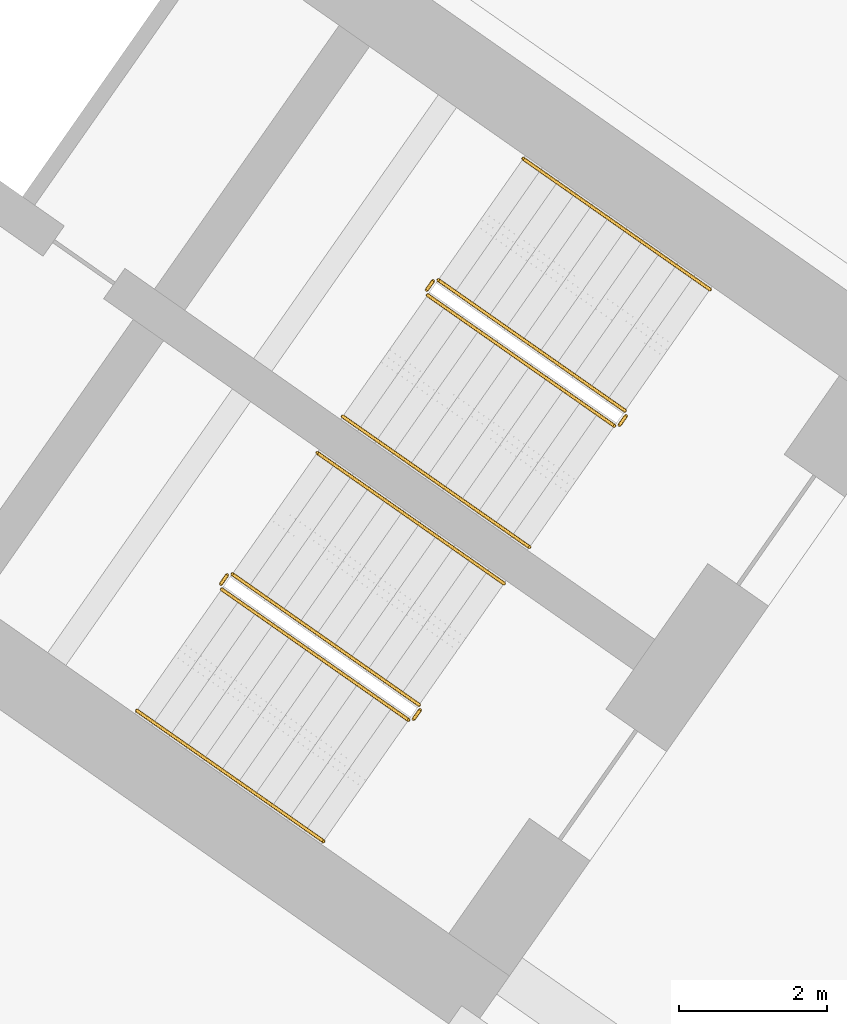
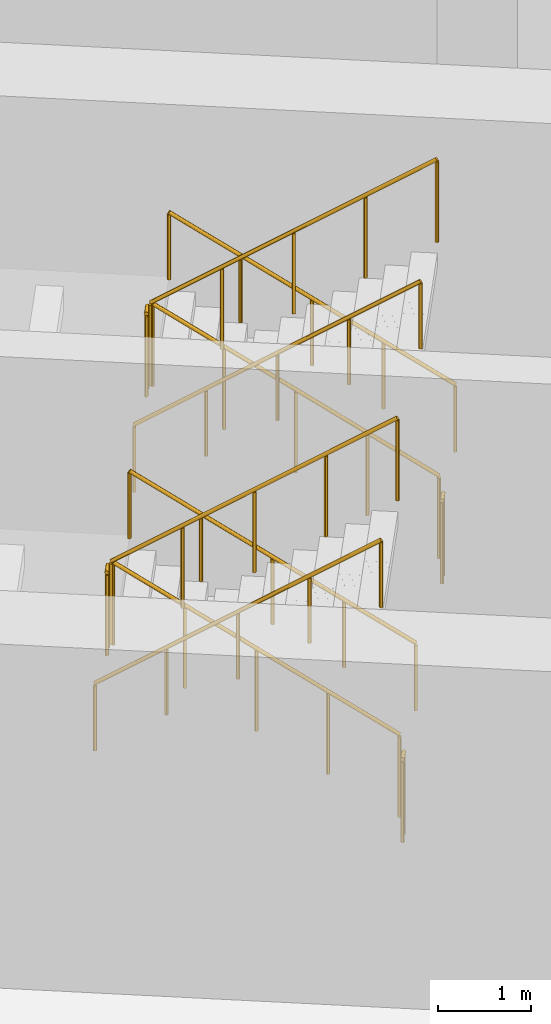
# One storey, part 11 of 11: 12 railings.
"""IFC4 building model written with IfcOpenShell, lengths in metres."""

from ifc_helpers import new_model, si_unit, direction, frame, origin, origin_2d, place, context, subcontext, project, spatial, circle, extrude, material, type_object, element, save


model = new_model("IFC4")

# Units and contexts
model_context = context("Model", 3, precision=1e-05, world=origin(), true_north=direction((0.0, 1.0)))
body_context = subcontext(model_context, "Body", "Model", "MODEL_VIEW")
ifc_project = project(units=[si_unit("LENGTHUNIT", "METRE"), si_unit("AREAUNIT", "SQUARE_METRE"), si_unit("VOLUMEUNIT", "CUBIC_METRE"), si_unit("PLANEANGLEUNIT", "RADIAN"), si_unit("MASSUNIT", "GRAM", prefix="KILO")], contexts=[model_context])

# Site, building, storey
site_placement = place(None, origin())
site = spatial("IfcSite", under=ifc_project, at=site_placement, CompositionType="ELEMENT")
building_placement = place(site_placement, origin())
building = spatial("IfcBuilding", under=site, at=building_placement, Name="Tel Ilan Convention Tower", CompositionType="ELEMENT")
storey_placement = place(building_placement, frame((0.0, 0.0, -4.5)))
storey = spatial("IfcBuildingStorey", under=building, at=storey_placement, Name="B1", CompositionType="ELEMENT", Elevation=-4.5)

# Railings
ifc_material_1 = material(Name="Stainless Steel Grade 316", Category="steel")
railing_type_1 = type_object("IfcRailingType", Name="Stainless Steel Stair Guard 1100 mm", PredefinedType="GUARDRAIL", material=ifc_material_1)
railing_1_placement = place(storey_placement, frame((23.6787109375, -7.8515625, 0.1875)))
element("IfcRailing", 1, at=railing_1_placement, inside=storey, type_object=railing_type_1, Name="B1 S3 stair guard 1", PredefinedType="GUARDRAIL", context=body_context, shape_type="SweptSolid", body=[
    extrude(circle(Radius=0.02392578125, at=origin_2d()), frame((0.0, 0.0, 1.076171875), z_axis=(-0.680634867305, 0.476589307124, 0.556416040158), x_axis=(-0.573579377721, -0.819149984711, 0.0)), (0.0, 0.0, 1.0), 3.706787109375),
    extrude(circle(Radius=0.02099609375, at=origin_2d()), origin(), (0.0, 0.0, 1.0), 1.052001953125),
    extrude(circle(Radius=0.02099609375, at=origin_2d()), frame((-0.630859375, 0.441650390625, 0.515625)), (0.0, 0.0, 1.0), 1.052001953125),
    extrude(circle(Radius=0.02099609375, at=origin_2d()), frame((-1.261474609375, 0.88330078125, 1.03125)), (0.0, 0.0, 1.0), 1.052001953125),
    extrude(circle(Radius=0.02099609375, at=origin_2d()), frame((-1.89208984375, 1.324951171875, 1.546875)), (0.0, 0.0, 1.0), 1.052001953125),
    extrude(circle(Radius=0.02099609375, at=origin_2d()), frame((-2.52294921875, 1.7666015625, 2.0625)), (0.0, 0.0, 1.0), 1.052001953125),
])
railing_2_placement = place(storey_placement, frame((21.086181640625, -6.09716796875, 2.25)))
element("IfcRailing", 2, at=railing_2_placement, inside=storey, type_object=railing_type_1, Name="B1 S3 stair guard 2", PredefinedType="GUARDRAIL", context=body_context, shape_type="SweptSolid", body=[
    extrude(circle(Radius=0.02392578125, at=origin_2d()), frame((0.0, 0.0, 1.076171875), z_axis=(-0.573353020881, -0.819308436089, 0.0), x_axis=(0.819308436089, -0.573353020881, 0.0)), (0.0, 0.0, 1.0), 0.14990234375),
    extrude(circle(Radius=0.02099609375, at=origin_2d()), origin(), (0.0, 0.0, 1.0), 1.052001953125),
    extrude(circle(Radius=0.02099609375, at=origin_2d()), frame((-0.0859375, -0.122802734375, 0.0)), (0.0, 0.0, 1.0), 1.052001953125),
])
railing_3_placement = place(storey_placement, frame((21.012451171875, -6.289794921875, 2.4375)))
element("IfcRailing", 3, at=railing_3_placement, inside=storey, type_object=railing_type_1, Name="B1 S3 stair guard 3", PredefinedType="GUARDRAIL", context=body_context, shape_type="SweptSolid", body=[
    extrude(circle(Radius=0.02392578125, at=origin_2d()), frame((0.0, 0.0, 1.076171875), z_axis=(0.680634867305, -0.476589307124, 0.556416040158), x_axis=(0.573579377721, 0.819149984711, 0.0)), (0.0, 0.0, 1.0), 3.706787109375),
    extrude(circle(Radius=0.02099609375, at=origin_2d()), origin(), (0.0, 0.0, 1.0), 1.052001953125),
    extrude(circle(Radius=0.02099609375, at=origin_2d()), frame((0.630859375, -0.441650390625, 0.515625)), (0.0, 0.0, 1.0), 1.052001953125),
    extrude(circle(Radius=0.02099609375, at=origin_2d()), frame((1.261474609375, -0.88330078125, 1.03125)), (0.0, 0.0, 1.0), 1.052001953125),
    extrude(circle(Radius=0.02099609375, at=origin_2d()), frame((1.89208984375, -1.324951171875, 1.546875)), (0.0, 0.0, 1.0), 1.052001953125),
    extrude(circle(Radius=0.02099609375, at=origin_2d()), frame((2.52294921875, -1.7666015625, 2.0625)), (0.0, 0.0, 1.0), 1.052001953125),
])
railing_4_placement = place(storey_placement, frame((23.691162109375, -7.921142578125, 0.0)))
element("IfcRailing", 4, at=railing_4_placement, inside=storey, type_object=railing_type_1, Name="B1 S3 stair guard 4", PredefinedType="GUARDRAIL", context=body_context, shape_type="SweptSolid", body=[
    extrude(circle(Radius=0.02392578125, at=origin_2d()), frame((0.0, 0.0, 1.076171875), z_axis=(-0.574444878118, -0.818543268254, 0.0), x_axis=(0.818543268254, -0.574444878118, 0.0)), (0.0, 0.0, 1.0), 0.150146484375),
    extrude(circle(Radius=0.02099609375, at=origin_2d()), origin(), (0.0, 0.0, 1.0), 1.052001953125),
    extrude(circle(Radius=0.02099609375, at=origin_2d()), frame((-0.086181640625, -0.122802734375, 0.0)), (0.0, 0.0, 1.0), 1.052001953125),
])
railing_5_placement = place(storey_placement, frame((20.89697265625, -11.824462890625, 0.1875)))
element("IfcRailing", 5, at=railing_5_placement, inside=storey, type_object=railing_type_1, Name="B1 S4 stair guard 1", PredefinedType="GUARDRAIL", context=body_context, shape_type="SweptSolid", body=[
    extrude(circle(Radius=0.02392578125, at=origin_2d()), frame((0.0, 0.0, 1.076171875), z_axis=(-0.680634867305, 0.476589307124, 0.556416040158), x_axis=(-0.573579377721, -0.819149984711, 0.0)), (0.0, 0.0, 1.0), 3.706787109375),
    extrude(circle(Radius=0.02099609375, at=origin_2d()), origin(), (0.0, 0.0, 1.0), 1.052001953125),
    extrude(circle(Radius=0.02099609375, at=origin_2d()), frame((-0.630859375, 0.441650390625, 0.515625)), (0.0, 0.0, 1.0), 1.052001953125),
    extrude(circle(Radius=0.02099609375, at=origin_2d()), frame((-1.261474609375, 0.88330078125, 1.03125)), (0.0, 0.0, 1.0), 1.052001953125),
    extrude(circle(Radius=0.02099609375, at=origin_2d()), frame((-1.89208984375, 1.324951171875, 1.546875)), (0.0, 0.0, 1.0), 1.052001953125),
    extrude(circle(Radius=0.02099609375, at=origin_2d()), frame((-2.52294921875, 1.7666015625, 2.0625)), (0.0, 0.0, 1.0), 1.052001953125),
])
railing_6_placement = place(storey_placement, frame((18.304443359375, -10.070068359375, 2.25)))
element("IfcRailing", 6, at=railing_6_placement, inside=storey, type_object=railing_type_1, Name="B1 S4 stair guard 2", PredefinedType="GUARDRAIL", context=body_context, shape_type="SweptSolid", body=[
    extrude(circle(Radius=0.02392578125, at=origin_2d()), frame((0.0, 0.0, 1.076171875), z_axis=(-0.574444878118, -0.818543268254, 0.0), x_axis=(0.818543268254, -0.574444878118, 0.0)), (0.0, 0.0, 1.0), 0.150146484375),
    extrude(circle(Radius=0.02099609375, at=origin_2d()), origin(), (0.0, 0.0, 1.0), 1.052001953125),
    extrude(circle(Radius=0.02099609375, at=origin_2d()), frame((-0.086181640625, -0.122802734375, 0.0)), (0.0, 0.0, 1.0), 1.052001953125),
])
railing_7_placement = place(storey_placement, frame((18.23046875, -10.2626953125, 2.4375)))
element("IfcRailing", 7, at=railing_7_placement, inside=storey, type_object=railing_type_1, Name="B1 S4 stair guard 3", PredefinedType="GUARDRAIL", context=body_context, shape_type="SweptSolid", body=[
    extrude(circle(Radius=0.02392578125, at=origin_2d()), frame((0.0, 0.0, 1.076171875), z_axis=(0.680670216326, -0.476567942461, 0.556391097003), x_axis=(0.573542135923, 0.819176060637, 0.0)), (0.0, 0.0, 1.0), 3.70703125),
    extrude(circle(Radius=0.02099609375, at=origin_2d()), origin(), (0.0, 0.0, 1.0), 1.052001953125),
    extrude(circle(Radius=0.02099609375, at=origin_2d()), frame((0.630859375, -0.441650390625, 0.515625)), (0.0, 0.0, 1.0), 1.052001953125),
    extrude(circle(Radius=0.02099609375, at=origin_2d()), frame((1.26171875, -0.88330078125, 1.03125)), (0.0, 0.0, 1.0), 1.052001953125),
    extrude(circle(Radius=0.02099609375, at=origin_2d()), frame((1.892333984375, -1.324951171875, 1.546875)), (0.0, 0.0, 1.0), 1.052001953125),
    extrude(circle(Radius=0.02099609375, at=origin_2d()), frame((2.523193359375, -1.7666015625, 2.0625)), (0.0, 0.0, 1.0), 1.052001953125),
])
railing_8_placement = place(storey_placement, frame((20.9091796875, -11.89404296875, 0.0)))
element("IfcRailing", 8, at=railing_8_placement, inside=storey, type_object=railing_type_1, Name="B1 S4 stair guard 4", PredefinedType="GUARDRAIL", context=body_context, shape_type="SweptSolid", body=[
    extrude(circle(Radius=0.02392578125, at=origin_2d()), frame((0.0, 0.0, 1.076171875), z_axis=(-0.573353020881, -0.819308436089, 0.0), x_axis=(0.819308436089, -0.573353020881, 0.0)), (0.0, 0.0, 1.0), 0.14990234375),
    extrude(circle(Radius=0.02099609375, at=origin_2d()), origin(), (0.0, 0.0, 1.0), 1.052001953125),
    extrude(circle(Radius=0.02099609375, at=origin_2d()), frame((-0.0859375, -0.122802734375, 0.0)), (0.0, 0.0, 1.0), 1.052001953125),
])
ifc_material_2 = material(Name="Stainless Steel Grade 316", Category="steel")
railing_type_2 = type_object("IfcRailingType", Name="Stainless Steel Stair Handrail 900 mm", PredefinedType="HANDRAIL", material=ifc_material_2)
railing_9_placement = place(storey_placement, frame((24.825927734375, -6.213134765625, 0.1875)))
element("IfcRailing", 9, at=railing_9_placement, inside=storey, type_object=railing_type_2, Name="B1 S3 stair handrail 1", PredefinedType="HANDRAIL", context=body_context, shape_type="SweptSolid", body=[
    extrude(circle(Radius=0.02392578125, at=origin_2d()), frame((0.0, 0.0, 0.8759765625), z_axis=(-0.680634867305, 0.476589307124, 0.556416040158), x_axis=(-0.573579377721, -0.819149984711, 0.0)), (0.0, 0.0, 1.0), 3.706787109375),
    extrude(circle(Radius=0.02099609375, at=origin_2d()), origin(), (0.0, 0.0, 1.0), 0.851806640625),
    extrude(circle(Radius=0.02099609375, at=origin_2d()), frame((-0.630859375, 0.441650390625, 0.515625)), (0.0, 0.0, 1.0), 0.851806640625),
    extrude(circle(Radius=0.02099609375, at=origin_2d()), frame((-1.261474609375, 0.88330078125, 1.03125)), (0.0, 0.0, 1.0), 0.851806640625),
    extrude(circle(Radius=0.02099609375, at=origin_2d()), frame((-1.89208984375, 1.324951171875, 1.546875)), (0.0, 0.0, 1.0), 0.851806640625),
    extrude(circle(Radius=0.02099609375, at=origin_2d()), frame((-2.52294921875, 1.7666015625, 2.0625)), (0.0, 0.0, 1.0), 0.851806640625),
])
railing_10_placement = place(storey_placement, frame((19.865234375, -7.927978515625, 2.4375)))
element("IfcRailing", 10, at=railing_10_placement, inside=storey, type_object=railing_type_2, Name="B1 S3 stair handrail 2", PredefinedType="HANDRAIL", context=body_context, shape_type="SweptSolid", body=[
    extrude(circle(Radius=0.02392578125, at=origin_2d()), frame((0.0, 0.0, 0.8759765625), z_axis=(0.680634867305, -0.476589307124, 0.556416040158), x_axis=(0.573579377721, 0.819149984711, 0.0)), (0.0, 0.0, 1.0), 3.706787109375),
    extrude(circle(Radius=0.02099609375, at=origin_2d()), origin(), (0.0, 0.0, 1.0), 0.851806640625),
    extrude(circle(Radius=0.02099609375, at=origin_2d()), frame((0.630859375, -0.441650390625, 0.515625)), (0.0, 0.0, 1.0), 0.851806640625),
    extrude(circle(Radius=0.02099609375, at=origin_2d()), frame((1.261474609375, -0.88330078125, 1.03125)), (0.0, 0.0, 1.0), 0.851806640625),
    extrude(circle(Radius=0.02099609375, at=origin_2d()), frame((1.89208984375, -1.324951171875, 1.546875)), (0.0, 0.0, 1.0), 0.851806640625),
    extrude(circle(Radius=0.02099609375, at=origin_2d()), frame((2.52294921875, -1.7666015625, 2.0625)), (0.0, 0.0, 1.0), 0.851806640625),
])
railing_11_placement = place(storey_placement, frame((22.044189453125, -10.18603515625, 0.1875)))
element("IfcRailing", 11, at=railing_11_placement, inside=storey, type_object=railing_type_2, Name="B1 S4 stair handrail 1", PredefinedType="HANDRAIL", context=body_context, shape_type="SweptSolid", body=[
    extrude(circle(Radius=0.02392578125, at=origin_2d()), frame((0.0, 0.0, 0.8759765625), z_axis=(-0.680634867305, 0.476589307124, 0.556416040158), x_axis=(-0.573579377721, -0.819149984711, 0.0)), (0.0, 0.0, 1.0), 3.706787109375),
    extrude(circle(Radius=0.02099609375, at=origin_2d()), origin(), (0.0, 0.0, 1.0), 0.851806640625),
    extrude(circle(Radius=0.02099609375, at=origin_2d()), frame((-0.630859375, 0.441650390625, 0.515625)), (0.0, 0.0, 1.0), 0.851806640625),
    extrude(circle(Radius=0.02099609375, at=origin_2d()), frame((-1.261474609375, 0.88330078125, 1.03125)), (0.0, 0.0, 1.0), 0.851806640625),
    extrude(circle(Radius=0.02099609375, at=origin_2d()), frame((-1.89208984375, 1.324951171875, 1.546875)), (0.0, 0.0, 1.0), 0.851806640625),
    extrude(circle(Radius=0.02099609375, at=origin_2d()), frame((-2.52294921875, 1.7666015625, 2.0625)), (0.0, 0.0, 1.0), 0.851806640625),
])
railing_12_placement = place(storey_placement, frame((17.08349609375, -11.90087890625, 2.4375)))
element("IfcRailing", 12, at=railing_12_placement, inside=storey, type_object=railing_type_2, Name="B1 S4 stair handrail 2", PredefinedType="HANDRAIL", context=body_context, shape_type="SweptSolid", body=[
    extrude(circle(Radius=0.02392578125, at=origin_2d()), frame((0.0, 0.0, 0.8759765625), z_axis=(0.680634867305, -0.476589307124, 0.556416040158), x_axis=(0.573579377721, 0.819149984711, 0.0)), (0.0, 0.0, 1.0), 3.706787109375),
    extrude(circle(Radius=0.02099609375, at=origin_2d()), origin(), (0.0, 0.0, 1.0), 0.851806640625),
    extrude(circle(Radius=0.02099609375, at=origin_2d()), frame((0.630859375, -0.441650390625, 0.515625)), (0.0, 0.0, 1.0), 0.851806640625),
    extrude(circle(Radius=0.02099609375, at=origin_2d()), frame((1.261474609375, -0.88330078125, 1.03125)), (0.0, 0.0, 1.0), 0.851806640625),
    extrude(circle(Radius=0.02099609375, at=origin_2d()), frame((1.89208984375, -1.324951171875, 1.546875)), (0.0, 0.0, 1.0), 0.851806640625),
    extrude(circle(Radius=0.02099609375, at=origin_2d()), frame((2.52294921875, -1.7666015625, 2.0625)), (0.0, 0.0, 1.0), 0.851806640625),
])

save(model, "model.ifc")
